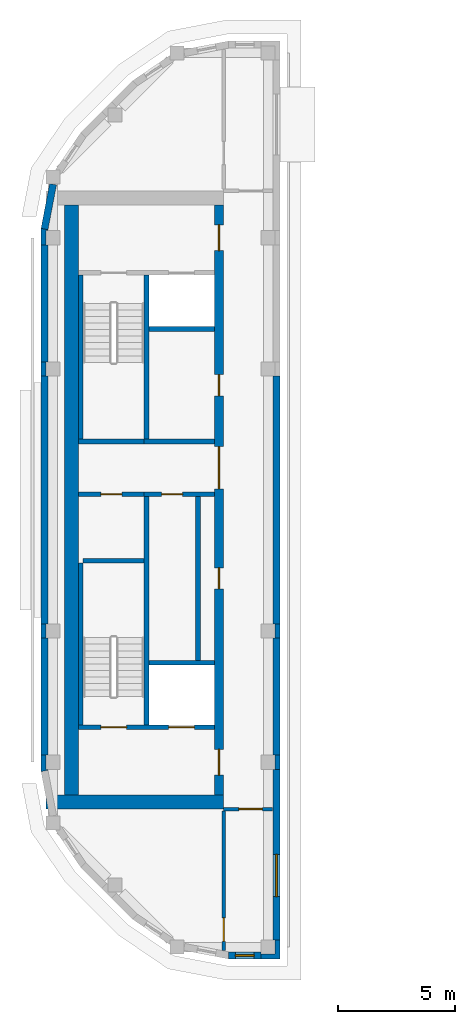
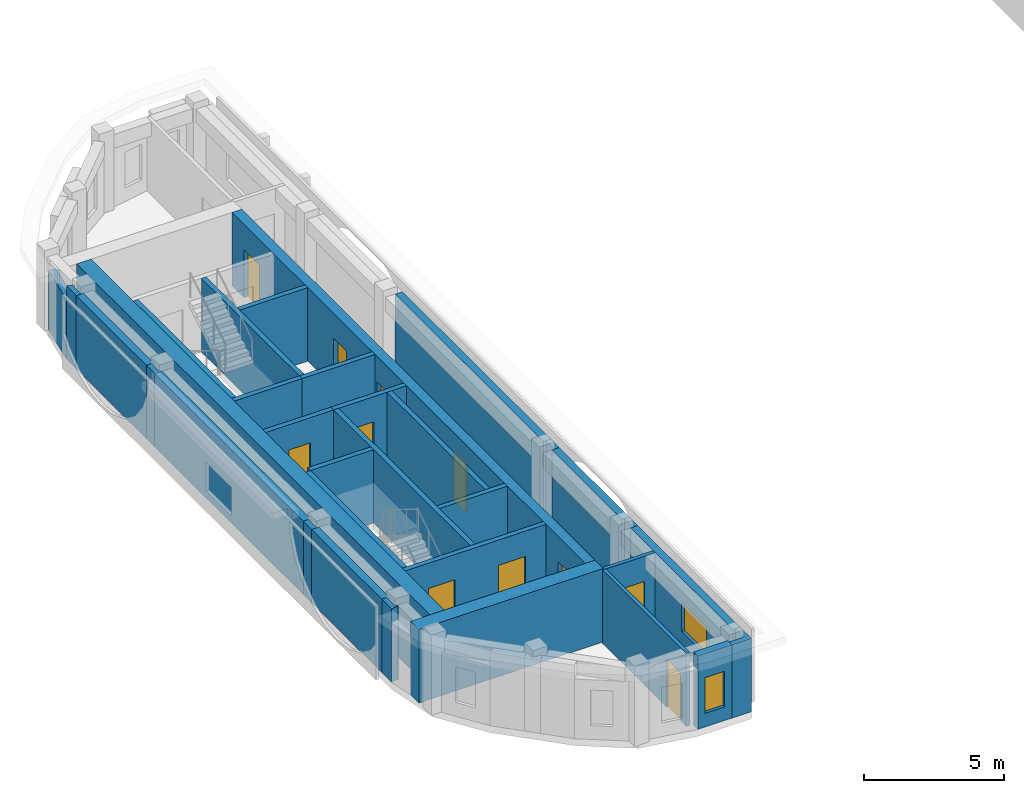
# One storey, part 2 of 12: 33 walls, 11 doors, 2 windows, 13 openings.
"""IFC4 building model written with IfcOpenShell, lengths in metres."""

from ifc_helpers import new_model, si_unit, direction, frame, frame_2d, origin, place, context, subcontext, project, spatial, polyline, rectangle, outline, extrude, material, layer, layer_set, type_object, element, fill, save


model = new_model("IFC4")

# Units and contexts
model_context = context("Model", 3, precision=1e-05, world=origin(), true_north=direction((0.0, 1.0)))
body_context = subcontext(model_context, "Body", "Model", "MODEL_VIEW")
ifc_project = project(units=[si_unit("LENGTHUNIT", "METRE"), si_unit("AREAUNIT", "SQUARE_METRE"), si_unit("VOLUMEUNIT", "CUBIC_METRE"), si_unit("PLANEANGLEUNIT", "RADIAN"), si_unit("MASSUNIT", "GRAM", prefix="KILO")], contexts=[model_context])

# Site, building, storey
site_placement = place(None, origin())
site = spatial("IfcSite", under=ifc_project, at=site_placement, CompositionType="ELEMENT")
building_placement = place(site_placement, origin())
building = spatial("IfcBuilding", under=site, at=building_placement, Name="Kiln Ring Residences", CompositionType="ELEMENT")
storey_placement = place(building_placement, frame((0.0, 0.0, 306.89990234375)))
storey = spatial("IfcBuildingStorey", under=building, at=storey_placement, Name="L79 Crown", CompositionType="ELEMENT", Elevation=306.89990234375)

# Wall, opening, door
ifc_material_1 = material(Name="Gypsum board on steel studs", Category="steel")
ifc_layer_1 = layer(ifc_material_1, 0.199951171875)
ifc_layer_set_1 = layer_set([ifc_layer_1], Name="CORE-PARTITION-200")
wall_type_1 = type_object("IfcWallType", Name="CORE-PARTITION-200", PredefinedType="PARTITIONING", material=ifc_layer_set_1)
wall_1_placement = place(storey_placement, frame((-20.800048828125, 0.25, 0.0), z_axis=(0.0, 0.0, 1.0), x_axis=(-1.0, 0.0, 0.0)))
wall_1 = element("IfcWall", 1, at=wall_1_placement, inside=storey, type_object=wall_type_1, Name="Core partition west L79 Crown 1", PredefinedType="PARTITIONING", context=body_context, shape_type="SweptSolid", body=[
    extrude(rectangle(XDim=2.800048828125, YDim=0.199951171875, at=frame_2d((1.39990234375, 0.0))), origin(), (0.0, 0.0, 1.0), 3.2001953125),
])
opening_1_placement = place(wall_1_placement, frame((0.949951171875, 0.0, 0.0)))
opening_1 = element("IfcOpeningElement", 2, at=opening_1_placement, cuts=wall_1, Name="Opening L79-CW11", PredefinedType="OPENING", context=body_context, shape_type="SweptSolid", body=[
    extrude(rectangle(XDim=0.89990234375, YDim=2.10009765625, at=frame_2d((0.449951171875, 1.050048828125))), frame((0.0, 0.10986328125, 0.0), z_axis=(0.0, -1.0, 0.0), x_axis=(1.0, 0.0, 0.0)), (0.0, 0.0, 1.0), 0.219970703125),
])
ifc_material_2 = material(Name="Steel door leaf", Category="steel")
door_type_1 = type_object("IfcDoorType", Name="CORE-DOOR-ROOM", OperationType="SINGLE_SWING_LEFT", PredefinedType="DOOR", material=ifc_material_2)
door_1_placement = place(opening_1_placement, origin())
door_1 = element("IfcDoor", 3, at=door_1_placement, inside=storey, type_object=door_type_1, Name="Housekeeping store L79-CW11", OperationType="SINGLE_SWING_LEFT", OverallHeight=2.10009765625, OverallWidth=0.89990234375, PredefinedType="DOOR", context=body_context, shape_type="SweptSolid", body=[
    extrude(rectangle(XDim=0.89990234375, YDim=2.10009765625, at=frame_2d((0.449951171875, 1.050048828125))), frame((0.0, 0.02490234375, 0.0), z_axis=(0.0, -1.0, 0.0), x_axis=(1.0, 0.0, 0.0)), (0.0, 0.0, 1.0), 0.050048828125),
])
fill(opening_1, door_1)

# Walls
wall_2_placement = place(storey_placement, frame((-18.5, -6.85009765625, 0.0), z_axis=(0.0, 0.0, 1.0), x_axis=(0.0, 1.0, 0.0)))
element("IfcWall", 4, at=wall_2_placement, inside=storey, type_object=wall_type_1, Name="Core partition west L79 Crown 2", PredefinedType="PARTITIONING", context=body_context, shape_type="SweptSolid", body=[
    extrude(rectangle(XDim=7.0, YDim=0.199951171875, at=frame_2d((3.5, 0.0))), origin(), (0.0, 0.0, 1.0), 3.2001953125),
])
ifc_material_3 = material(Name="Gypsum shaft wall system")
ifc_layer_2 = layer(ifc_material_3, 0.199951171875)
ifc_layer_set_2 = layer_set([ifc_layer_2], Name="CORE-SHAFT-WALL-200")
wall_type_2 = type_object("IfcWallType", Name="CORE-SHAFT-WALL-200", PredefinedType="PARTITIONING", material=ifc_layer_set_2)
wall_3_placement = place(storey_placement, frame((-17.800048828125, -6.949951171875, 0.0), z_axis=(0.0, 0.0, 1.0), x_axis=(-1.0, 0.0, 0.0)))
element("IfcWall", 5, at=wall_3_placement, inside=storey, type_object=wall_type_2, Name="Core partition west L79 Crown 3", PredefinedType="PARTITIONING", context=body_context, shape_type="SweptSolid", body=[
    extrude(rectangle(XDim=2.800048828125, YDim=0.199951171875, at=frame_2d((1.39990234375, 0.0))), origin(), (0.0, 0.0, 1.0), 3.2001953125),
])

# Wall, opening, door
wall_4_placement = place(storey_placement, frame((-17.800048828125, 0.25, 0.0), z_axis=(0.0, 0.0, 1.0), x_axis=(-1.0, 0.0, 0.0)))
wall_4 = element("IfcWall", 6, at=wall_4_placement, inside=storey, type_object=wall_type_2, Name="Core partition west L79 Crown 4", PredefinedType="PARTITIONING", context=body_context, shape_type="SweptSolid", body=[
    extrude(rectangle(XDim=3.0, YDim=0.199951171875, at=frame_2d((1.5, 0.0))), origin(), (0.0, 0.0, 1.0), 3.2001953125),
])
opening_2_placement = place(wall_4_placement, frame((1.35009765625, 0.0, 0.0)))
opening_2 = element("IfcOpeningElement", 7, at=opening_2_placement, cuts=wall_4, Name="Opening L79-CW03", PredefinedType="OPENING", context=body_context, shape_type="SweptSolid", body=[
    extrude(rectangle(XDim=0.89990234375, YDim=2.10009765625, at=frame_2d((0.449951171875, 1.050048828125))), frame((0.0, 0.10986328125, 0.0), z_axis=(0.0, -1.0, 0.0), x_axis=(1.0, 0.0, 0.0)), (0.0, 0.0, 1.0), 0.219970703125),
])
door_2_placement = place(opening_2_placement, origin())
door_2 = element("IfcDoor", 8, at=door_2_placement, inside=storey, type_object=door_type_1, Name="Goods store L79-CW03", OperationType="SINGLE_SWING_LEFT", OverallHeight=2.10009765625, OverallWidth=0.89990234375, PredefinedType="DOOR", context=body_context, shape_type="SweptSolid", body=[
    extrude(rectangle(XDim=0.89990234375, YDim=2.10009765625, at=frame_2d((0.449951171875, 1.050048828125))), frame((0.0, 0.02490234375, 0.0), z_axis=(0.0, -1.0, 0.0), x_axis=(1.0, 0.0, 0.0)), (0.0, 0.0, 1.0), 0.050048828125),
])
fill(opening_2, door_2)

# Walls
wall_5_placement = place(storey_placement, frame((-17.800048828125, 2.5, 0.0), z_axis=(0.0, 0.0, 1.0), x_axis=(-1.0, 0.0, 0.0)))
element("IfcWall", 9, at=wall_5_placement, inside=storey, type_object=wall_type_2, Name="Core partition west L79 Crown 5", PredefinedType="PARTITIONING", context=body_context, shape_type="SweptSolid", body=[
    extrude(rectangle(XDim=3.0, YDim=0.199951171875, at=frame_2d((1.5, 0.0))), origin(), (0.0, 0.0, 1.0), 3.2001953125),
])
wall_6_placement = place(storey_placement, frame((-17.800048828125, 7.300048828125, 0.0), z_axis=(0.0, 0.0, 1.0), x_axis=(-1.0, 0.0, 0.0)))
element("IfcWall", 10, at=wall_6_placement, inside=storey, type_object=wall_type_2, Name="Core partition west L79 Crown 6", PredefinedType="PARTITIONING", context=body_context, shape_type="SweptSolid", body=[
    extrude(rectangle(XDim=2.800048828125, YDim=0.199951171875, at=frame_2d((1.39990234375, 0.0))), origin(), (0.0, 0.0, 1.0), 3.2001953125),
])
ifc_material_4 = material(Name="Concrete C40/50", Category="concrete")
ifc_layer_3 = layer(ifc_material_4, 0.199951171875)
ifc_layer_set_3 = layer_set([ifc_layer_3], Name="CORE-WALL-RC200")
wall_type_3 = type_object("IfcWallType", Name="CORE-WALL-RC200", PredefinedType="SHEAR", material=ifc_layer_set_3)
wall_7_placement = place(storey_placement, frame((-20.699951171875, 2.60009765625, 0.0), z_axis=(0.0, 0.0, 1.0), x_axis=(0.0, 1.0, 0.0)))
element("IfcWall", 11, at=wall_7_placement, inside=storey, type_object=wall_type_3, Name="Core wall west L79 Crown 1", PredefinedType="SHEAR", context=body_context, shape_type="SweptSolid", body=[
    extrude(rectangle(XDim=7.0, YDim=0.199951171875, at=frame_2d((3.5, 0.0))), origin(), (0.0, 0.0, 1.0), 3.2001953125),
])
wall_8_placement = place(storey_placement, frame((-20.699951171875, -9.60009765625, 0.0), z_axis=(0.0, 0.0, 1.0), x_axis=(0.0, 1.0, 0.0)))
element("IfcWall", 12, at=wall_8_placement, inside=storey, type_object=wall_type_3, Name="Core wall west L79 Crown 2", PredefinedType="SHEAR", context=body_context, shape_type="SweptSolid", body=[
    extrude(rectangle(XDim=9.75, YDim=0.199951171875, at=frame_2d((4.875, 0.0))), origin(), (0.0, 0.0, 1.0), 3.2001953125),
])
wall_9_placement = place(storey_placement, frame((-20.800048828125, 2.5, 0.0), z_axis=(0.0, 0.0, 1.0), x_axis=(-1.0, 0.0, 0.0)))
element("IfcWall", 13, at=wall_9_placement, inside=storey, type_object=wall_type_3, Name="Core wall west L79 Crown 3", PredefinedType="SHEAR", context=body_context, shape_type="SweptSolid", body=[
    extrude(rectangle(XDim=2.800048828125, YDim=0.199951171875, at=frame_2d((1.39990234375, 0.0))), origin(), (0.0, 0.0, 1.0), 3.2001953125),
])

# Wall, openings, doors
wall_10_placement = place(storey_placement, frame((-17.800048828125, -9.699951171875, 0.0), z_axis=(0.0, 0.0, 1.0), x_axis=(-1.0, 0.0, 0.0)))
wall_10 = element("IfcWall", 14, at=wall_10_placement, inside=storey, type_object=wall_type_3, Name="Core wall west L79 Crown 8", PredefinedType="SHEAR", context=body_context, shape_type="SweptSolid", body=[
    extrude(rectangle(XDim=5.800048828125, YDim=0.199951171875, at=frame_2d((2.89990234375, 0.0))), origin(), (0.0, 0.0, 1.0), 3.2001953125),
])
opening_3_placement = place(wall_10_placement, frame((0.85009765625, 0.0, 0.0)))
opening_3 = element("IfcOpeningElement", 15, at=opening_3_placement, cuts=wall_10, Name="Opening L79-CW01", PredefinedType="OPENING", context=body_context, shape_type="SweptSolid", body=[
    extrude(rectangle(XDim=1.10009765625, YDim=2.10009765625, at=frame_2d((0.550048828125, 1.050048828125))), frame((0.0, 0.10986328125, 0.0), z_axis=(0.0, -1.0, 0.0), x_axis=(1.0, 0.0, 0.0)), (0.0, 0.0, 1.0), 0.219970703125),
])
opening_4_placement = place(wall_10_placement, frame((3.75, 0.0, 0.0)))
opening_4 = element("IfcOpeningElement", 16, at=opening_4_placement, cuts=wall_10, Name="Opening L79-CW09", PredefinedType="OPENING", context=body_context, shape_type="SweptSolid", body=[
    extrude(rectangle(XDim=1.10009765625, YDim=2.10009765625, at=frame_2d((0.550048828125, 1.050048828125))), frame((0.0, 0.10986328125, 0.0), z_axis=(0.0, -1.0, 0.0), x_axis=(1.0, 0.0, 0.0)), (0.0, 0.0, 1.0), 0.219970703125),
])
ifc_material_5 = material(Name="Steel door leaf", Category="steel")
door_type_2 = type_object("IfcDoorType", Name="CORE-DOOR-LD", OperationType="DOUBLE_DOOR_SLIDING", PredefinedType="DOOR", material=ifc_material_5)
door_3_placement = place(opening_3_placement, origin())
door_3 = element("IfcDoor", 17, at=door_3_placement, inside=storey, type_object=door_type_2, Name="LD W-SV L79-CW01", OperationType="DOUBLE_DOOR_SLIDING", OverallHeight=2.10009765625, OverallWidth=1.10009765625, PredefinedType="DOOR", context=body_context, shape_type="SweptSolid", body=[
    extrude(rectangle(XDim=1.10009765625, YDim=2.10009765625, at=frame_2d((0.550048828125, 1.050048828125))), frame((0.0, 0.02490234375, 0.0), z_axis=(0.0, -1.0, 0.0), x_axis=(1.0, 0.0, 0.0)), (0.0, 0.0, 1.0), 0.050048828125),
])
fill(opening_3, door_3)
ifc_material_6 = material(Name="Steel door leaf", Category="steel")
door_type_3 = type_object("IfcDoorType", Name="CORE-DOOR-STAIR", OperationType="SINGLE_SWING_LEFT", PredefinedType="DOOR", material=ifc_material_6)
door_4_placement = place(opening_4_placement, origin())
door_4 = element("IfcDoor", 18, at=door_4_placement, inside=storey, type_object=door_type_3, Name="Stair W-STS L79-CW09", OperationType="SINGLE_SWING_RIGHT", OverallHeight=2.10009765625, OverallWidth=1.10009765625, PredefinedType="DOOR", context=body_context, shape_type="SweptSolid", body=[
    extrude(rectangle(XDim=1.10009765625, YDim=2.10009765625, at=frame_2d((0.550048828125, 1.050048828125))), frame((0.0, 0.02490234375, 0.0), z_axis=(0.0, -1.0, 0.0), x_axis=(1.0, 0.0, 0.0)), (0.0, 0.0, 1.0), 0.050048828125),
])
fill(opening_4, door_4)

# Walls
wall_11_placement = place(storey_placement, frame((-23.5, 2.60009765625, 0.0), z_axis=(0.0, 0.0, 1.0), x_axis=(0.0, 1.0, 0.0)))
element("IfcWall", 19, at=wall_11_placement, inside=storey, type_object=wall_type_3, Name="Core wall west L79 Crown 10", PredefinedType="SHEAR", context=body_context, shape_type="SweptSolid", body=[
    extrude(rectangle(XDim=7.0, YDim=0.199951171875, at=frame_2d((3.5, 0.0))), origin(), (0.0, 0.0, 1.0), 3.2001953125),
])
wall_12_placement = place(storey_placement, frame((-23.5, -9.60009765625, 0.0), z_axis=(0.0, 0.0, 1.0), x_axis=(0.0, 1.0, 0.0)))
element("IfcWall", 20, at=wall_12_placement, inside=storey, type_object=wall_type_3, Name="Core wall west L79 Crown 11", PredefinedType="SHEAR", context=body_context, shape_type="SweptSolid", body=[
    extrude(rectangle(XDim=6.900146484375, YDim=0.199951171875, at=frame_2d((3.4501953125, 0.0))), origin(), (0.0, 0.0, 1.0), 3.2001953125),
])
wall_13_placement = place(storey_placement, frame((-20.800048828125, -2.60009765625, 0.0), z_axis=(0.0, 0.0, 1.0), x_axis=(-1.0, 0.0, 0.0)))
element("IfcWall", 21, at=wall_13_placement, inside=storey, type_object=wall_type_3, Name="Core wall west L79 Crown 12", PredefinedType="SHEAR", context=body_context, shape_type="SweptSolid", body=[
    extrude(rectangle(XDim=2.599853515625, YDim=0.199951171875, at=frame_2d((1.2998046875, 0.0))), origin(), (0.0, 0.0, 1.0), 3.2001953125),
])

# Wall, openings, doors
ifc_material_7 = material(Name="Concrete C60/75", Category="concrete")
ifc_layer_4 = layer(ifc_material_7, 0.39990234375)
ifc_layer_set_4 = layer_set([ifc_layer_4], Name="CORE-WALL-RC400")
wall_type_4 = type_object("IfcWallType", Name="CORE-WALL-RC400", PredefinedType="SHEAR", material=ifc_layer_set_4)
wall_14_placement = place(storey_placement, frame((-17.60009765625, -12.60009765625, 0.0), z_axis=(0.0, 0.0, 1.0), x_axis=(0.0, 1.0, 0.0)))
wall_14 = element("IfcWall", 22, at=wall_14_placement, inside=storey, type_object=wall_type_4, Name="Core wall west L79 Crown 6", PredefinedType="SHEAR", context=body_context, shape_type="SweptSolid", body=[
    extrude(rectangle(XDim=25.2001953125, YDim=0.39990234375, at=frame_2d((12.60009765625, 0.0))), origin(), (0.0, 0.0, 1.0), 3.2001953125),
])
opening_5_placement = place(wall_14_placement, frame((8.800048828125, 0.0, 0.0)))
opening_5 = element("IfcOpeningElement", 23, at=opening_5_placement, cuts=wall_14, Name="Opening L79-CW02", PredefinedType="OPENING", context=body_context, shape_type="SweptSolid", body=[
    extrude(rectangle(XDim=0.89990234375, YDim=2.10009765625, at=frame_2d((0.449951171875, 1.050048828125))), frame((0.0, 0.2099609375, 0.0), z_axis=(0.0, -1.0, 0.0), x_axis=(1.0, 0.0, 0.0)), (0.0, 0.0, 1.0), 0.419921875),
])
opening_6_placement = place(wall_14_placement, frame((17.050048828125, 0.0, 0.0)))
opening_6 = element("IfcOpeningElement", 24, at=opening_6_placement, cuts=wall_14, Name="Opening L79-CW04", PredefinedType="OPENING", context=body_context, shape_type="SweptSolid", body=[
    extrude(rectangle(XDim=0.89990234375, YDim=2.10009765625, at=frame_2d((0.449951171875, 1.050048828125))), frame((0.0, 0.2099609375, 0.0), z_axis=(0.0, -1.0, 0.0), x_axis=(1.0, 0.0, 0.0)), (0.0, 0.0, 1.0), 0.419921875),
])
opening_7_placement = place(wall_14_placement, frame((23.25, 0.0, 0.0)))
opening_7 = element("IfcOpeningElement", 25, at=opening_7_placement, cuts=wall_14, Name="Opening L79-CW06", PredefinedType="OPENING", context=body_context, shape_type="SweptSolid", body=[
    extrude(rectangle(XDim=1.10009765625, YDim=2.10009765625, at=frame_2d((0.550048828125, 1.050048828125))), frame((0.0, 0.2099609375, 0.0), z_axis=(0.0, -1.0, 0.0), x_axis=(1.0, 0.0, 0.0)), (0.0, 0.0, 1.0), 0.419921875),
])
opening_8_placement = place(wall_14_placement, frame((0.85009765625, 0.0, 0.0)))
opening_8 = element("IfcOpeningElement", 26, at=opening_8_placement, cuts=wall_14, Name="Opening L79-CW07", PredefinedType="OPENING", context=body_context, shape_type="SweptSolid", body=[
    extrude(rectangle(XDim=1.10009765625, YDim=2.10009765625, at=frame_2d((0.550048828125, 1.050048828125))), frame((0.0, 0.2099609375, 0.0), z_axis=(0.0, -1.0, 0.0), x_axis=(1.0, 0.0, 0.0)), (0.0, 0.0, 1.0), 0.419921875),
])
opening_9_placement = place(wall_14_placement, frame((13.074951171875, 0.0, 0.0)))
opening_9 = element("IfcOpeningElement", 27, at=opening_9_placement, cuts=wall_14, Name="Opening L79-CW10", PredefinedType="OPENING", context=body_context, shape_type="SweptSolid", body=[
    extrude(rectangle(XDim=1.800048828125, YDim=2.10009765625, at=frame_2d((0.89990234375, 1.050048828125))), frame((0.0, 0.2099609375, 0.0), z_axis=(0.0, -1.0, 0.0), x_axis=(1.0, 0.0, 0.0)), (0.0, 0.0, 1.0), 0.419921875),
])
ifc_material_8 = material(Name="Steel door leaf", Category="steel")
door_type_4 = type_object("IfcDoorType", Name="CORE-DOOR-LOBBY", OperationType="SINGLE_SWING_LEFT", PredefinedType="DOOR", material=ifc_material_8)
door_5_placement = place(opening_7_placement, origin())
door_5 = element("IfcDoor", 28, at=door_5_placement, inside=storey, type_object=door_type_4, Name="FFL L79-CW06", OperationType="SINGLE_SWING_LEFT", OverallHeight=2.10009765625, OverallWidth=1.10009765625, PredefinedType="DOOR", context=body_context, shape_type="SweptSolid", body=[
    extrude(rectangle(XDim=1.10009765625, YDim=2.10009765625, at=frame_2d((0.550048828125, 1.050048828125))), frame((0.0, 0.02490234375, 0.0), z_axis=(0.0, -1.0, 0.0), x_axis=(1.0, 0.0, 0.0)), (0.0, 0.0, 1.0), 0.050048828125),
])
fill(opening_7, door_5)
door_6_placement = place(opening_8_placement, origin())
door_6 = element("IfcDoor", 29, at=door_6_placement, inside=storey, type_object=door_type_4, Name="SVL L79-CW07", OperationType="SINGLE_SWING_RIGHT", OverallHeight=2.10009765625, OverallWidth=1.10009765625, PredefinedType="DOOR", context=body_context, shape_type="SweptSolid", body=[
    extrude(rectangle(XDim=1.10009765625, YDim=2.10009765625, at=frame_2d((0.550048828125, 1.050048828125))), frame((0.0, 0.02490234375, 0.0), z_axis=(0.0, -1.0, 0.0), x_axis=(1.0, 0.0, 0.0)), (0.0, 0.0, 1.0), 0.050048828125),
])
fill(opening_8, door_6)
ifc_material_9 = material(Name="Steel door leaf", Category="steel")
door_type_5 = type_object("IfcDoorType", Name="CORE-DOOR-PASS", OperationType="DOUBLE_DOOR_SINGLE_SWING", PredefinedType="DOOR", material=ifc_material_9)
door_7_placement = place(opening_9_placement, origin())
door_7 = element("IfcDoor", 30, at=door_7_placement, inside=storey, type_object=door_type_5, Name="Core passage L79-CW10", OperationType="DOUBLE_DOOR_SINGLE_SWING", OverallHeight=2.10009765625, OverallWidth=1.800048828125, PredefinedType="DOOR", context=body_context, shape_type="SweptSolid", body=[
    extrude(rectangle(XDim=1.800048828125, YDim=2.10009765625, at=frame_2d((0.89990234375, 1.050048828125))), frame((0.0, 0.02490234375, 0.0), z_axis=(0.0, -1.0, 0.0), x_axis=(1.0, 0.0, 0.0)), (0.0, 0.0, 1.0), 0.050048828125),
])
fill(opening_9, door_7)
door_8_placement = place(opening_5_placement, origin())
door_8 = element("IfcDoor", 31, at=door_8_placement, inside=storey, type_object=door_type_1, Name="Cleaner's store L79-CW02", OperationType="SINGLE_SWING_RIGHT", OverallHeight=2.10009765625, OverallWidth=0.89990234375, PredefinedType="DOOR", context=body_context, shape_type="SweptSolid", body=[
    extrude(rectangle(XDim=0.89990234375, YDim=2.10009765625, at=frame_2d((0.449951171875, 1.050048828125))), frame((0.0, 0.02490234375, 0.0), z_axis=(0.0, -1.0, 0.0), x_axis=(1.0, 0.0, 0.0)), (0.0, 0.0, 1.0), 0.050048828125),
])
fill(opening_5, door_8)
door_9_placement = place(opening_6_placement, origin())
door_9 = element("IfcDoor", 32, at=door_9_placement, inside=storey, type_object=door_type_1, Name="Locker store L79-CW04", OperationType="SINGLE_SWING_RIGHT", OverallHeight=2.10009765625, OverallWidth=0.89990234375, PredefinedType="DOOR", context=body_context, shape_type="SweptSolid", body=[
    extrude(rectangle(XDim=0.89990234375, YDim=2.10009765625, at=frame_2d((0.449951171875, 1.050048828125))), frame((0.0, 0.02490234375, 0.0), z_axis=(0.0, -1.0, 0.0), x_axis=(1.0, 0.0, 0.0)), (0.0, 0.0, 1.0), 0.050048828125),
])
fill(opening_6, door_9)

# Walls
ifc_material_10 = material(Name="Concrete C60/75", Category="concrete")
ifc_layer_5 = layer(ifc_material_10, 0.60009765625)
ifc_layer_set_5 = layer_set([ifc_layer_5], Name="CORE-WALL-RC600")
wall_type_5 = type_object("IfcWallType", Name="CORE-WALL-RC600", PredefinedType="SHEAR", material=ifc_layer_set_5)
wall_15_placement = place(storey_placement, frame((-17.39990234375, -12.89990234375, 0.0), z_axis=(0.0, 0.0, 1.0), x_axis=(-1.0, 0.0, 0.0)))
element("IfcWall", 33, at=wall_15_placement, inside=storey, type_object=wall_type_5, Name="Core wall west L79 Crown 5", PredefinedType="SHEAR", context=body_context, shape_type="SweptSolid", body=[
    extrude(rectangle(XDim=7.60009765625, YDim=0.60009765625, at=frame_2d((3.800048828125, 0.0))), origin(), (0.0, 0.0, 1.0), 3.2001953125),
])
wall_16_placement = place(storey_placement, frame((-23.89990234375, -12.60009765625, 0.0), z_axis=(0.0, 0.0, 1.0), x_axis=(0.0, 1.0, 0.0)))
element("IfcWall", 34, at=wall_16_placement, inside=storey, type_object=wall_type_5, Name="Core wall west L79 Crown 7", PredefinedType="SHEAR", context=body_context, shape_type="SweptSolid", body=[
    extrude(rectangle(XDim=25.2001953125, YDim=0.60009765625, at=frame_2d((12.60009765625, 0.0))), origin(), (0.0, 0.0, 1.0), 3.2001953125),
])

# Wall, opening, window
ifc_material_11 = material(Name="Brick masonry, dark clay brick", Category="masonry")
ifc_layer_6 = layer(ifc_material_11, 0.300048828125)
ifc_layer_set_6 = layer_set([ifc_layer_6], Name="EW-300 BRICK WALL")
wall_type_6 = type_object("IfcWallType", Name="EW-300 BRICK WALL", PredefinedType="SOLIDWALL", material=ifc_layer_set_6)
wall_17_placement = place(storey_placement, frame((-17.199951171875, -19.449951171875, 0.0), z_axis=(0.0, 0.0, 1.0), x_axis=(1.0, 0.0, 0.0)))
wall_17 = element("IfcWall", 35, at=wall_17_placement, inside=storey, type_object=wall_type_6, Name="Facade wall L79 Crown 3", PredefinedType="SOLIDWALL", context=body_context, shape_type="SweptSolid", body=[
    extrude(rectangle(XDim=1.39990234375, YDim=0.300048828125, at=frame_2d((0.699951171875, 0.0))), origin(), (0.0, 0.0, 1.0), 3.2001953125),
])
opening_10_placement = place(wall_17_placement, frame((0.300048828125, 0.0, 0.60009765625)))
opening_10 = element("IfcOpeningElement", 36, at=opening_10_placement, cuts=wall_17, Name="Opening W5", PredefinedType="OPENING", context=body_context, shape_type="SweptSolid", body=[
    extrude(rectangle(XDim=0.800048828125, YDim=1.550048828125, at=frame_2d((0.39990234375, 0.77490234375))), frame((0.0, 0.159912109375, 0.0), z_axis=(0.0, -1.0, 0.0), x_axis=(1.0, 0.0, 0.0)), (0.0, 0.0, 1.0), 0.320068359375),
])
ifc_material_12 = material(Name="Aluminium frame with double glazing", Category="aluminium")
window_type_1 = type_object("IfcWindowType", Name="WINDOW 800 x 1550", PartitioningType="SINGLE_PANEL", PredefinedType="WINDOW", material=ifc_material_12)
window_1_placement = place(opening_10_placement, origin())
window_1 = element("IfcWindow", 37, at=window_1_placement, inside=storey, type_object=window_type_1, Name="Window L79 Crown 3", OverallHeight=1.550048828125, OverallWidth=0.800048828125, PartitioningType="SINGLE_PANEL", PredefinedType="WINDOW", context=body_context, shape_type="SweptSolid", body=[
    extrude(rectangle(XDim=0.800048828125, YDim=1.550048828125, at=frame_2d((0.39990234375, 0.77490234375))), frame((0.0, 0.030029296875, 0.0), z_axis=(0.0, -1.0, 0.0), x_axis=(1.0, 0.0, 0.0)), (0.0, 0.0, 1.0), 0.06005859375),
])
fill(opening_10, window_1)

wall_18_placement = place(storey_placement, frame((-15.14990234375, -18.800048828125, 0.0), z_axis=(0.0, 0.0, 1.0), x_axis=(0.0, 1.0, 0.0)))
wall_18 = element("IfcWall", 38, at=wall_18_placement, inside=storey, type_object=wall_type_6, Name="Facade wall L79 Crown 4", PredefinedType="SOLIDWALL", context=body_context, shape_type="SweptSolid", body=[
    extrude(rectangle(XDim=7.300048828125, YDim=0.300048828125, at=frame_2d((3.64990234375, 0.0))), origin(), (0.0, 0.0, 1.0), 3.2001953125),
])
opening_11_placement = place(wall_18_placement, frame((1.862548828125, 0.0, 0.89990234375)))
opening_11 = element("IfcOpeningElement", 39, at=opening_11_placement, cuts=wall_18, Name="Opening W2", PredefinedType="OPENING", context=body_context, shape_type="SweptSolid", body=[
    extrude(rectangle(XDim=1.800048828125, YDim=1.25, at=frame_2d((0.89990234375, 0.625))), frame((0.0, 0.159912109375, 0.0), z_axis=(0.0, -1.0, 0.0), x_axis=(1.0, 0.0, 0.0)), (0.0, 0.0, 1.0), 0.320068359375),
])
ifc_material_13 = material(Name="Aluminium frame with double glazing", Category="aluminium")
window_type_2 = type_object("IfcWindowType", Name="WINDOW 1800 x 1250", PartitioningType="SINGLE_PANEL", PredefinedType="WINDOW", material=ifc_material_13)
window_2_placement = place(opening_11_placement, origin())
window_2 = element("IfcWindow", 40, at=window_2_placement, inside=storey, type_object=window_type_2, Name="Window L79 Crown 4", OverallHeight=1.25, OverallWidth=1.800048828125, PartitioningType="SINGLE_PANEL", PredefinedType="WINDOW", context=body_context, shape_type="SweptSolid", body=[
    extrude(rectangle(XDim=1.800048828125, YDim=1.25, at=frame_2d((0.89990234375, 0.625))), frame((0.0, 0.030029296875, 0.0), z_axis=(0.0, -1.0, 0.0), x_axis=(1.0, 0.0, 0.0)), (0.0, 0.0, 1.0), 0.06005859375),
])
fill(opening_11, window_2)

# Walls
wall_19_placement = place(storey_placement, frame((-15.14990234375, -10.89990234375, 0.0), z_axis=(0.0, 0.0, 1.0), x_axis=(0.0, 1.0, 0.0)))
element("IfcWall", 41, at=wall_19_placement, inside=storey, type_object=wall_type_6, Name="Facade wall L79 Crown 5", PredefinedType="SOLIDWALL", context=body_context, shape_type="SweptSolid", body=[
    extrude(rectangle(XDim=5.0, YDim=0.300048828125, at=frame_2d((2.5, 0.0))), origin(), (0.0, 0.0, 1.0), 3.2001953125),
])
wall_20_placement = place(storey_placement, frame((-15.14990234375, -5.300048828125, 0.0), z_axis=(0.0, 0.0, 1.0), x_axis=(0.0, 1.0, 0.0)))
element("IfcWall", 42, at=wall_20_placement, inside=storey, type_object=wall_type_6, Name="Facade wall L79 Crown 6", PredefinedType="SOLIDWALL", context=body_context, shape_type="SweptSolid", body=[
    extrude(rectangle(XDim=10.60009765625, YDim=0.300048828125, at=frame_2d((5.300048828125, 0.0))), origin(), (0.0, 0.0, 1.0), 3.2001953125),
])
wall_21_placement = place(storey_placement, frame((-24.687744140625, 13.485107421875, 0.0), z_axis=(0.0, 0.0, 1.0), x_axis=(-0.187354129902, -0.982292436095, 0.0)))
element("IfcWall", 43, at=wall_21_placement, inside=storey, type_object=wall_type_6, Name="Facade wall L79 Crown 15", PredefinedType="SOLIDWALL", context=body_context, shape_type="SweptSolid", body=[
    extrude(rectangle(XDim=1.94677734375, YDim=0.300048828125, at=frame_2d((0.973388671875, 0.0))), origin(), (0.0, 0.0, 1.0), 2.60009765625),
])
wall_22_placement = place(storey_placement, frame((-25.050048828125, 10.89990234375, 0.0), z_axis=(0.0, 0.0, 1.0), x_axis=(0.0, -1.0, 0.0)))
element("IfcWall", 44, at=wall_22_placement, inside=storey, type_object=wall_type_6, Name="Facade wall L79 Crown 16", PredefinedType="SOLIDWALL", context=body_context, shape_type="SweptSolid", body=[
    extrude(rectangle(XDim=5.0, YDim=0.300048828125, at=frame_2d((2.5, 0.0))), origin(), (0.0, 0.0, 1.0), 3.2001953125),
])
wall_23_placement = place(storey_placement, frame((-25.050048828125, 5.300048828125, 0.0), z_axis=(0.0, 0.0, 1.0), x_axis=(0.0, -1.0, 0.0)))
element("IfcWall", 45, at=wall_23_placement, inside=storey, type_object=wall_type_6, Name="Facade wall L79 Crown 17", PredefinedType="SOLIDWALL", context=body_context, shape_type="SweptSolid", body=[
    extrude(rectangle(XDim=10.60009765625, YDim=0.300048828125, at=frame_2d((5.300048828125, 0.0))), origin(), (0.0, 0.0, 1.0), 3.2001953125),
])
wall_24_placement = place(storey_placement, frame((-25.050048828125, -5.89990234375, 0.0), z_axis=(0.0, 0.0, 1.0), x_axis=(0.0, -1.0, 0.0)))
element("IfcWall", 46, at=wall_24_placement, inside=storey, type_object=wall_type_6, Name="Facade wall L79 Crown 18", PredefinedType="SOLIDWALL", context=body_context, shape_type="SweptSolid", body=[
    extrude(rectangle(XDim=5.0, YDim=0.300048828125, at=frame_2d((2.5, 0.0))), origin(), (0.0, 0.0, 1.0), 3.2001953125),
])
placement = place(storey_placement, origin())
element("IfcWall", 47, at=placement, inside=storey, type_object=wall_type_6, Name="Corner wall L79 Crown 1", PredefinedType="SOLIDWALL", context=body_context, shape_type="SweptSolid", body=[
    extrude(outline(polyline([(-25.199951171875, -10.89990234375), (-25.199951171875, -11.600830078125), (-24.9033203125, -11.544189453125), (-24.89990234375, -11.56103515625), (-24.89990234375, -11.5), (-25.0, -11.5), (-25.0, -10.89990234375), (-25.199951171875, -10.89990234375)])), origin(), (0.0, 0.0, 1.0), 3.2001953125),
])
element("IfcWall", 48, at=placement, inside=storey, type_object=wall_type_6, Name="Corner wall L79 Crown 2", PredefinedType="SOLIDWALL", context=body_context, shape_type="SweptSolid", body=[
    extrude(outline(polyline([(-25.0, -5.300048828125), (-25.199951171875, -5.300048828125), (-25.199951171875, -5.89990234375), (-24.89990234375, -5.89990234375), (-25.0, -5.89990234375), (-25.0, -5.300048828125)])), origin(), (0.0, 0.0, 1.0), 3.2001953125),
])
element("IfcWall", 49, at=placement, inside=storey, type_object=wall_type_6, Name="Corner wall L79 Crown 3", PredefinedType="SOLIDWALL", context=body_context, shape_type="SweptSolid", body=[
    extrude(outline(polyline([(-25.0, 5.89990234375), (-25.199951171875, 5.89990234375), (-25.199951171875, 5.300048828125), (-25.0, 5.300048828125), (-25.0, 5.89990234375)])), origin(), (0.0, 0.0, 1.0), 3.2001953125),
])
element("IfcWall", 50, at=placement, inside=storey, type_object=wall_type_6, Name="Corner wall L79 Crown 4", PredefinedType="SOLIDWALL", context=body_context, shape_type="SweptSolid", body=[
    extrude(outline(polyline([(-25.199951171875, 11.600830078125), (-25.199951171875, 10.89990234375), (-25.0, 10.89990234375), (-25.0, 11.5), (-24.89990234375, 11.5), (-24.89990234375, 11.56103515625), (-24.9033203125, 11.544189453125), (-25.199951171875, 11.600830078125)])), origin(), (0.0, 0.0, 1.0), 3.2001953125),
])
element("IfcWall", 51, at=placement, inside=storey, type_object=wall_type_6, Name="Corner wall L79 Crown 9", PredefinedType="SOLIDWALL", context=body_context, shape_type="SweptSolid", body=[
    extrude(outline(polyline([(-15.300048828125, -5.89990234375), (-15.0, -5.89990234375), (-15.0, -5.300048828125), (-15.300048828125, -5.300048828125), (-15.199951171875, -5.300048828125), (-15.199951171875, -5.89990234375), (-15.300048828125, -5.89990234375)])), origin(), (0.0, 0.0, 1.0), 3.2001953125),
])
element("IfcWall", 52, at=placement, inside=storey, type_object=wall_type_6, Name="Corner wall L79 Crown 10", PredefinedType="SOLIDWALL", context=body_context, shape_type="SweptSolid", body=[
    extrude(outline(polyline([(-15.199951171875, -11.5), (-15.0, -11.5), (-15.0, -10.89990234375), (-15.199951171875, -10.89990234375), (-15.199951171875, -11.5)])), origin(), (0.0, 0.0, 1.0), 3.2001953125),
])
element("IfcWall", 53, at=placement, inside=storey, type_object=wall_type_6, Name="Corner wall L79 Crown 11", PredefinedType="SOLIDWALL", context=body_context, shape_type="SweptSolid", body=[
    extrude(outline(polyline([(-15.800048828125, -19.60009765625), (-15.0, -19.60009765625), (-15.0, -18.800048828125), (-15.199951171875, -18.800048828125), (-15.199951171875, -19.39990234375), (-15.800048828125, -19.39990234375), (-15.800048828125, -19.60009765625)])), origin(), (0.0, 0.0, 1.0), 3.2001953125),
])

# Wall, opening, door
ifc_material_14 = material(Name="Brick masonry partition", Category="masonry")
ifc_layer_7 = layer(ifc_material_14, 0.14990234375)
ifc_layer_set_7 = layer_set([ifc_layer_7], Name="PARTITION-150-ei60")
wall_type_7 = type_object("IfcWallType", Name="PARTITION-150-ei60", PredefinedType="PARTITIONING", material=ifc_layer_set_7)
wall_32_placement = place(storey_placement, frame((-17.405029296875, -13.199951171875, 0.0), z_axis=(0.0, 0.0, 1.0), x_axis=(1.0, 0.0, 0.0)))
wall_32 = element("IfcWall", 54, at=wall_32_placement, inside=storey, type_object=wall_type_7, Name="Partition 000", PredefinedType="PARTITIONING", context=body_context, shape_type="SweptSolid", body=[
    extrude(rectangle(XDim=2.0849609375, YDim=0.14990234375, at=frame_2d((1.04248046875, 0.0))), origin(), (0.0, 0.0, 1.0), 3.2001953125),
])
opening_12_placement = place(wall_32_placement, frame((0.655029296875, 0.0, 0.0)))
opening_12 = element("IfcOpeningElement", 55, at=opening_12_placement, cuts=wall_32, Name="Opening L79-D003", PredefinedType="OPENING", context=body_context, shape_type="SweptSolid", body=[
    extrude(rectangle(XDim=1.0, YDim=2.10009765625, at=frame_2d((0.5, 1.050048828125))), frame((0.0, 0.0849609375, 0.0), z_axis=(0.0, -1.0, 0.0), x_axis=(1.0, 0.0, 0.0)), (0.0, 0.0, 1.0), 0.169921875),
])
ifc_material_15 = material(Name="Steel faced fire door leaf", Category="steel")
door_type_6 = type_object("IfcDoorType", Name="FLAT-DOOR-1000-FR", OperationType="SINGLE_SWING_LEFT", PredefinedType="DOOR", material=ifc_material_15)
door_10_placement = place(opening_12_placement, origin())
door_10 = element("IfcDoor", 56, at=door_10_placement, inside=storey, type_object=door_type_6, Name="Door L79-D003", OperationType="SINGLE_SWING_RIGHT", OverallHeight=2.10009765625, OverallWidth=1.0, PredefinedType="DOOR", context=body_context, shape_type="SweptSolid", body=[
    extrude(rectangle(XDim=1.0, YDim=2.10009765625, at=frame_2d((0.5, 1.050048828125))), frame((0.0, 0.02490234375, 0.0), z_axis=(0.0, -1.0, 0.0), x_axis=(1.0, 0.0, 0.0)), (0.0, 0.0, 1.0), 0.050048828125),
])
fill(opening_12, door_10)

wall_33_placement = place(storey_placement, frame((-17.39990234375, -19.236328125, 0.0), z_axis=(0.0, 0.0, 1.0), x_axis=(0.0, 1.0, 0.0)))
wall_33 = element("IfcWall", 57, at=wall_33_placement, inside=storey, type_object=wall_type_7, Name="Partition 004", PredefinedType="PARTITIONING", context=body_context, shape_type="SweptSolid", body=[
    extrude(rectangle(XDim=5.96142578125, YDim=0.14990234375, at=frame_2d((2.980712890625, 0.0))), origin(), (0.0, 0.0, 1.0), 3.2001953125),
])
opening_13_placement = place(wall_33_placement, frame((0.386474609375, 0.0, 0.0)))
opening_13 = element("IfcOpeningElement", 58, at=opening_13_placement, cuts=wall_33, Name="Opening L79-D004", PredefinedType="OPENING", context=body_context, shape_type="SweptSolid", body=[
    extrude(rectangle(XDim=1.0, YDim=2.10009765625, at=frame_2d((0.5, 1.050048828125))), frame((0.0, 0.0849609375, 0.0), z_axis=(0.0, -1.0, 0.0), x_axis=(1.0, 0.0, 0.0)), (0.0, 0.0, 1.0), 0.169921875),
])
door_11_placement = place(opening_13_placement, origin())
door_11 = element("IfcDoor", 59, at=door_11_placement, inside=storey, type_object=door_type_6, Name="Door L79-D004", OperationType="SINGLE_SWING_RIGHT", OverallHeight=2.10009765625, OverallWidth=1.0, PredefinedType="DOOR", context=body_context, shape_type="SweptSolid", body=[
    extrude(rectangle(XDim=1.0, YDim=2.10009765625, at=frame_2d((0.5, 1.050048828125))), frame((0.0, 0.02490234375, 0.0), z_axis=(0.0, -1.0, 0.0), x_axis=(1.0, 0.0, 0.0)), (0.0, 0.0, 1.0), 0.050048828125),
])
fill(opening_13, door_11)

save(model, "model.ifc")
